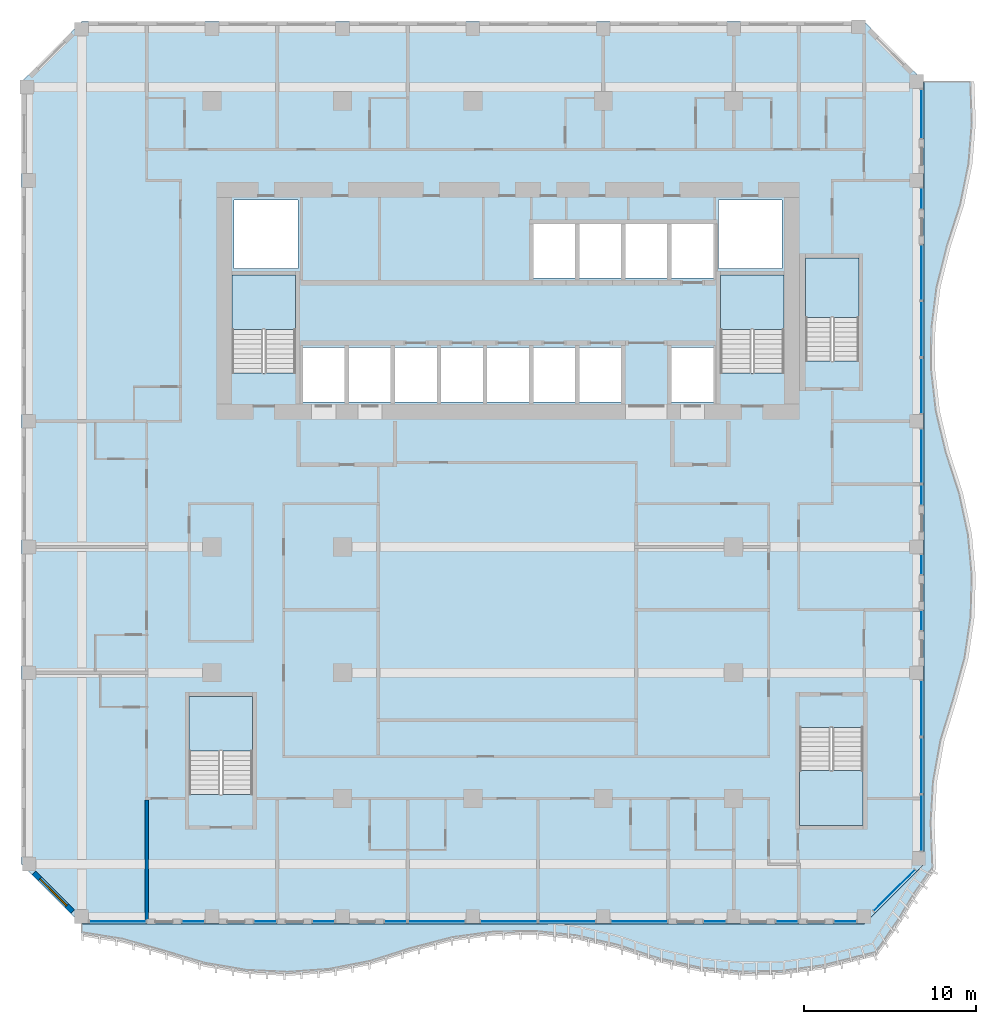
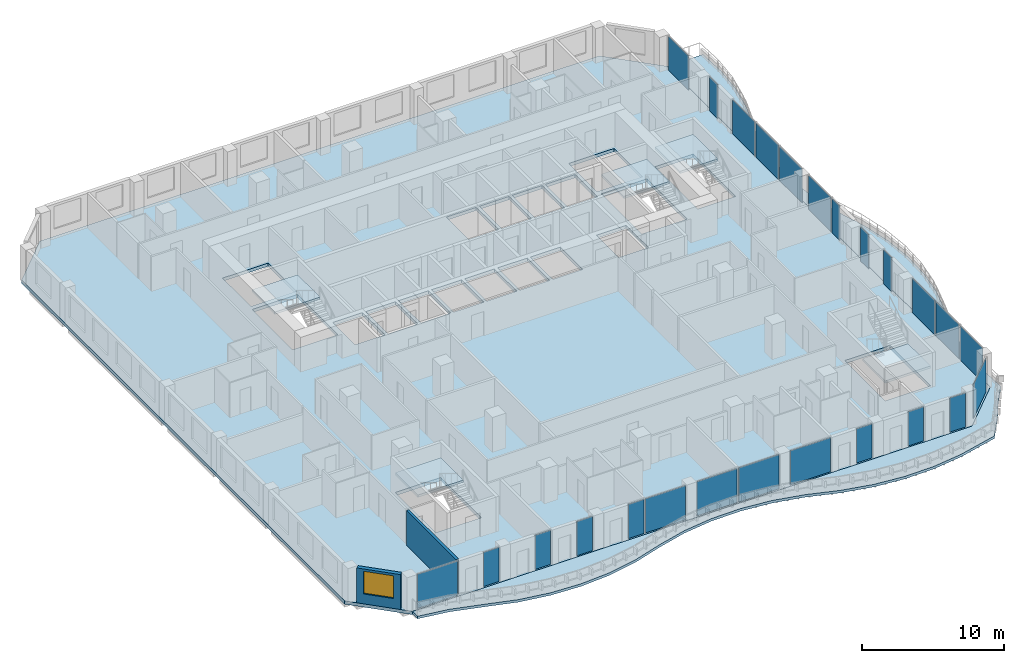
# One storey, part 9 of 23: 25 plates, 7 slabs, 2 walls, 1 window, 1 opening, 30 elements without a shape of their own.
"""IFC4 building model written with IfcOpenShell, lengths in metres."""

from ifc_helpers import new_model, si_unit, direction, frame, frame_2d, origin, origin_2d, place, context, subcontext, project, spatial, polyline, rectangle, outline, extrude, source, transform, mapped, material, layer, layer_set, type_object, element, fill, aggregate, save


model = new_model("IFC4")

# Units and contexts
model_context = context("Model", 3, precision=1e-05, world=origin(), true_north=direction((0.0, 1.0)))
body_context = subcontext(model_context, "Body", "Model", "MODEL_VIEW")
ifc_project = project(units=[si_unit("LENGTHUNIT", "METRE"), si_unit("AREAUNIT", "SQUARE_METRE"), si_unit("VOLUMEUNIT", "CUBIC_METRE"), si_unit("PLANEANGLEUNIT", "RADIAN"), si_unit("MASSUNIT", "GRAM", prefix="KILO")], contexts=[model_context])

# Site, building, storey
site_placement = place(None, origin())
site = spatial("IfcSite", under=ifc_project, at=site_placement, CompositionType="ELEMENT")
building_placement = place(site_placement, origin())
building = spatial("IfcBuilding", under=site, at=building_placement, Name="Kilnfold Tower and Market Hall", CompositionType="ELEMENT")
storey_placement = place(building_placement, frame((0.0, 0.0, 160.89990234375)))
storey = spatial("IfcBuildingStorey", under=building, at=storey_placement, Name="L37", CompositionType="ELEMENT", Elevation=160.89990234375)

# Slab
ifc_material_1 = material(Name="Concrete C45", Category="concrete")
ifc_layer_1 = layer(ifc_material_1, 0.280029296875)
ifc_layer_set_1 = layer_set([ifc_layer_1], Name="Concrete C45")
slab_type_1 = type_object("IfcSlabType", Name="FLOOR SLAB 280", PredefinedType="FLOOR", material=ifc_layer_set_1)
shared_shape_1 = source(origin(), body_context, "Body", "SweptSolid", [
    extrude(outline(polyline([(-23.75, -21.25), (21.75, -21.25), (25.25, -17.75), (25.25, 27.75), (21.75, 31.25), (-23.75, 31.25), (-27.25, 27.75), (-27.25, -17.75), (-23.75, -21.25)]), holes=[polyline([(-13.800537109375, -13.699462890625), (-17.49951171875, -13.699462890625), (-17.49951171875, -8.00048828125), (-13.800537109375, -8.00048828125), (-13.800537109375, -13.699462890625)]), polyline([(-14.99951171875, 10.800537109375), (-14.99951171875, 16.49951171875), (-11.300537109375, 16.49951171875), (-11.300537109375, 10.800537109375), (-14.99951171875, 10.800537109375)]), polyline([(-11.175048828125, 16.875), (-14.875, 16.875), (-14.875, 20.875), (-11.175048828125, 20.875), (-11.175048828125, 16.875)]), polyline([(-8.455078125, 9.125), (-10.885009765625, 9.125), (-10.885009765625, 12.27490234375), (-8.455078125, 12.27490234375), (-8.455078125, 9.125)]), polyline([(-5.77490234375, 9.125), (-8.205078125, 9.125), (-8.205078125, 12.27490234375), (-5.77490234375, 12.27490234375), (-5.77490234375, 9.125)]), polyline([(-3.094970703125, 9.125), (-5.52490234375, 9.125), (-5.52490234375, 12.27490234375), (-3.094970703125, 12.27490234375), (-3.094970703125, 9.125)]), polyline([(-0.4150390625, 9.125), (-2.844970703125, 9.125), (-2.844970703125, 12.27490234375), (-0.4150390625, 12.27490234375), (-0.4150390625, 9.125)]), polyline([(2.264892578125, 9.125), (-0.1650390625, 9.125), (-0.1650390625, 12.27490234375), (2.264892578125, 12.27490234375), (2.264892578125, 9.125)]), polyline([(4.945068359375, 9.125), (2.514892578125, 9.125), (2.514892578125, 12.27490234375), (4.945068359375, 12.27490234375), (4.945068359375, 9.125)]), polyline([(2.514892578125, 16.324951171875), (2.514892578125, 19.47509765625), (4.945068359375, 19.47509765625), (4.945068359375, 16.324951171875), (2.514892578125, 16.324951171875)]), polyline([(7.625, 9.125), (5.195068359375, 9.125), (5.195068359375, 12.27490234375), (7.625, 12.27490234375), (7.625, 9.125)]), polyline([(7.625, 16.324951171875), (5.195068359375, 16.324951171875), (5.195068359375, 19.47509765625), (7.625, 19.47509765625), (7.625, 16.324951171875)]), polyline([(10.304931640625, 16.324951171875), (7.875, 16.324951171875), (7.875, 19.47509765625), (10.304931640625, 19.47509765625), (10.304931640625, 16.324951171875)]), polyline([(10.554931640625, 9.125), (10.554931640625, 12.27490234375), (12.985107421875, 12.27490234375), (12.985107421875, 9.125), (10.554931640625, 9.125)]), polyline([(10.554931640625, 16.324951171875), (10.554931640625, 19.47509765625), (12.985107421875, 19.47509765625), (12.985107421875, 16.324951171875), (10.554931640625, 16.324951171875)]), polyline([(13.27490234375, 16.875), (13.27490234375, 20.875), (16.97509765625, 20.875), (16.97509765625, 16.875), (13.27490234375, 16.875)]), polyline([(13.400390625, 10.800537109375), (13.400390625, 16.49951171875), (17.099609375, 16.49951171875), (17.099609375, 10.800537109375), (13.400390625, 10.800537109375)]), polyline([(18.00048828125, -9.800537109375), (21.699462890625, -9.800537109375), (21.699462890625, -15.49951171875), (18.00048828125, -15.49951171875), (18.00048828125, -9.800537109375)]), polyline([(21.449462890625, 11.50048828125), (18.3505859375, 11.50048828125), (18.3505859375, 17.49951171875), (21.449462890625, 17.49951171875), (21.449462890625, 11.50048828125)])]), origin(), (0.0, 0.0, 1.0), 0.280029296875),
])
slab_1_placement = place(storey_placement, frame((0.0, 0.0, -0.280029296875)))
element("IfcSlab", 1, at=slab_1_placement, inside=storey, type_object=slab_type_1, Name="Floor slab L37", PredefinedType="FLOOR", context=body_context, shape_type="MappedRepresentation", body=[
    mapped(shared_shape_1, transform((0.0, 0.0, 0.0))),
])

# Curtain wall, plate
ifc_material_2 = material(Name="Aluminium and double glazing", Category="aluminium")
curtain_wall_type = type_object("IfcCurtainWallType", Name="CW GARDEN HOTEL WINTER GARDEN", PredefinedType="NOTDEFINED", material=ifc_material_2)
curtain_wall_1_placement = place(storey_placement, origin())
curtain_wall_1 = element("IfcCurtainWall", 2, at=curtain_wall_1_placement, inside=storey, type_object=curtain_wall_type, Name="Curtain wall CW5 L37 S", PredefinedType="NOTDEFINED")
ifc_material_3 = material(Name="Double glazed unit")
ifc_layer_2 = layer(ifc_material_3, 0.033935546875)
ifc_layer_set_2 = layer_set([ifc_layer_2], Name="Double glazed unit")
plate_type = type_object("IfcPlateType", Name="GLAZING PANEL 34", PredefinedType="CURTAIN_PANEL", material=ifc_layer_set_2)
shared_shape_2 = source(origin(), body_context, "Body", "SweptSolid", [
    extrude(rectangle(XDim=3.26171875, YDim=0.033935546875, at=origin_2d()), origin(), (0.0, 0.0, 1.0), 2.93505859375),
])
plate_1_placement = place(storey_placement, frame((-21.654296875, -21.10009765625, 0.0), z_axis=(0.0, 0.0, 1.0), x_axis=(1.0, 0.0, 0.0)))
plate_1 = element("IfcPlate", 3, at=plate_1_placement, type_object=plate_type, Name="CW5 panel 1.1", PredefinedType="CURTAIN_PANEL", context=body_context, shape_type="MappedRepresentation", body=[
    mapped(shared_shape_2, transform((0.0, 0.0, 0.0))),
])
aggregate(curtain_wall_1, [plate_1])

curtain_wall_2_placement = place(storey_placement, origin())
curtain_wall_2 = element("IfcCurtainWall", 4, at=curtain_wall_2_placement, inside=storey, type_object=curtain_wall_type, Name="Curtain wall CW5 L37 S", PredefinedType="NOTDEFINED")
plate_2_placement = place(storey_placement, frame((-3.095703125, -21.10009765625, 0.0), z_axis=(0.0, 0.0, 1.0), x_axis=(1.0, 0.0, 0.0)))
plate_2 = element("IfcPlate", 5, at=plate_2_placement, type_object=plate_type, Name="CW5 panel 1.1", PredefinedType="CURTAIN_PANEL", context=body_context, shape_type="MappedRepresentation", body=[
    mapped(shared_shape_2, transform((0.0, 0.0, 0.0))),
])
aggregate(curtain_wall_2, [plate_2])

curtain_wall_3_placement = place(storey_placement, origin())
curtain_wall_3 = element("IfcCurtainWall", 6, at=curtain_wall_3_placement, inside=storey, type_object=curtain_wall_type, Name="Curtain wall CW5 L37 S", PredefinedType="NOTDEFINED")
plate_3_placement = place(storey_placement, frame((1.095703125, -21.10009765625, 0.0), z_axis=(0.0, 0.0, 1.0), x_axis=(1.0, 0.0, 0.0)))
plate_3 = element("IfcPlate", 7, at=plate_3_placement, type_object=plate_type, Name="CW5 panel 1.1", PredefinedType="CURTAIN_PANEL", context=body_context, shape_type="MappedRepresentation", body=[
    mapped(shared_shape_2, transform((0.0, 0.0, 0.0))),
])
aggregate(curtain_wall_3, [plate_3])

curtain_wall_4_placement = place(storey_placement, origin())
curtain_wall_4 = element("IfcCurtainWall", 8, at=curtain_wall_4_placement, inside=storey, type_object=curtain_wall_type, Name="Curtain wall CW5 L37 S", PredefinedType="NOTDEFINED")
plate_4_placement = place(storey_placement, frame((4.487548828125, -21.10009765625, 0.0), z_axis=(0.0, 0.0, 1.0), x_axis=(1.0, 0.0, 0.0)))
plate_4 = element("IfcPlate", 9, at=plate_4_placement, type_object=plate_type, Name="CW5 panel 1.1", PredefinedType="CURTAIN_PANEL", context=body_context, shape_type="MappedRepresentation", body=[
    mapped(shared_shape_2, transform((0.0, 0.0, 0.0))),
])
aggregate(curtain_wall_4, [plate_4])

curtain_wall_5_placement = place(storey_placement, origin())
curtain_wall_5 = element("IfcCurtainWall", 10, at=curtain_wall_5_placement, inside=storey, type_object=curtain_wall_type, Name="Curtain wall CW5 L37 S", PredefinedType="NOTDEFINED")
plate_5_placement = place(storey_placement, frame((8.67919921875, -21.10009765625, 0.0), z_axis=(0.0, 0.0, 1.0), x_axis=(1.0, 0.0, 0.0)))
plate_5 = element("IfcPlate", 11, at=plate_5_placement, type_object=plate_type, Name="CW5 panel 1.1", PredefinedType="CURTAIN_PANEL", context=body_context, shape_type="MappedRepresentation", body=[
    mapped(shared_shape_2, transform((0.0, 0.0, 0.0))),
])
aggregate(curtain_wall_5, [plate_5])

curtain_wall_6_placement = place(storey_placement, origin())
curtain_wall_6 = element("IfcCurtainWall", 12, at=curtain_wall_6_placement, inside=storey, type_object=curtain_wall_type, Name="Curtain wall CW5 L37 S", PredefinedType="NOTDEFINED")
shared_shape_3 = source(origin(), body_context, "Body", "SweptSolid", [
    extrude(rectangle(XDim=1.26171875, YDim=0.033935546875, at=origin_2d()), origin(), (0.0, 0.0, 1.0), 2.93505859375),
])
plate_6_placement = place(storey_placement, frame((-17.262451171875, -21.10009765625, 0.0), z_axis=(0.0, 0.0, 1.0), x_axis=(1.0, 0.0, 0.0)))
plate_6 = element("IfcPlate", 13, at=plate_6_placement, type_object=plate_type, Name="CW5 panel 1.1", PredefinedType="CURTAIN_PANEL", context=body_context, shape_type="MappedRepresentation", body=[
    mapped(shared_shape_3, transform((0.0, 0.0, 0.0))),
])
aggregate(curtain_wall_6, [plate_6])

curtain_wall_7_placement = place(storey_placement, origin())
curtain_wall_7 = element("IfcCurtainWall", 14, at=curtain_wall_7_placement, inside=storey, type_object=curtain_wall_type, Name="Curtain wall CW5 L37 S", PredefinedType="NOTDEFINED")
plate_7_placement = place(storey_placement, frame((-13.07080078125, -21.10009765625, 0.0), z_axis=(0.0, 0.0, 1.0), x_axis=(1.0, 0.0, 0.0)))
plate_7 = element("IfcPlate", 15, at=plate_7_placement, type_object=plate_type, Name="CW5 panel 1.1", PredefinedType="CURTAIN_PANEL", context=body_context, shape_type="MappedRepresentation", body=[
    mapped(shared_shape_3, transform((0.0, 0.0, 0.0))),
])
aggregate(curtain_wall_7, [plate_7])

curtain_wall_8_placement = place(storey_placement, origin())
curtain_wall_8 = element("IfcCurtainWall", 16, at=curtain_wall_8_placement, inside=storey, type_object=curtain_wall_type, Name="Curtain wall CW5 L37 S", PredefinedType="NOTDEFINED")
plate_8_placement = place(storey_placement, frame((-9.67919921875, -21.10009765625, 0.0), z_axis=(0.0, 0.0, 1.0), x_axis=(1.0, 0.0, 0.0)))
plate_8 = element("IfcPlate", 17, at=plate_8_placement, type_object=plate_type, Name="CW5 panel 1.1", PredefinedType="CURTAIN_PANEL", context=body_context, shape_type="MappedRepresentation", body=[
    mapped(shared_shape_3, transform((0.0, 0.0, 0.0))),
])
aggregate(curtain_wall_8, [plate_8])

curtain_wall_9_placement = place(storey_placement, origin())
curtain_wall_9 = element("IfcCurtainWall", 18, at=curtain_wall_9_placement, inside=storey, type_object=curtain_wall_type, Name="Curtain wall CW5 L37 S", PredefinedType="NOTDEFINED")
plate_9_placement = place(storey_placement, frame((-5.487548828125, -21.10009765625, 0.0), z_axis=(0.0, 0.0, 1.0), x_axis=(1.0, 0.0, 0.0)))
plate_9 = element("IfcPlate", 19, at=plate_9_placement, type_object=plate_type, Name="CW5 panel 1.1", PredefinedType="CURTAIN_PANEL", context=body_context, shape_type="MappedRepresentation", body=[
    mapped(shared_shape_3, transform((0.0, 0.0, 0.0))),
])
aggregate(curtain_wall_9, [plate_9])

curtain_wall_10_placement = place(storey_placement, origin())
curtain_wall_10 = element("IfcCurtainWall", 20, at=curtain_wall_10_placement, inside=storey, type_object=curtain_wall_type, Name="Curtain wall CW5 L37 S", PredefinedType="NOTDEFINED")
plate_10_placement = place(storey_placement, frame((13.07080078125, -21.10009765625, 0.0), z_axis=(0.0, 0.0, 1.0), x_axis=(1.0, 0.0, 0.0)))
plate_10 = element("IfcPlate", 21, at=plate_10_placement, type_object=plate_type, Name="CW5 panel 1.1", PredefinedType="CURTAIN_PANEL", context=body_context, shape_type="MappedRepresentation", body=[
    mapped(shared_shape_3, transform((0.0, 0.0, 0.0))),
])
aggregate(curtain_wall_10, [plate_10])

curtain_wall_11_placement = place(storey_placement, origin())
curtain_wall_11 = element("IfcCurtainWall", 22, at=curtain_wall_11_placement, inside=storey, type_object=curtain_wall_type, Name="Curtain wall CW5 L37 S", PredefinedType="NOTDEFINED")
plate_11_placement = place(storey_placement, frame((17.262451171875, -21.10009765625, 0.0), z_axis=(0.0, 0.0, 1.0), x_axis=(1.0, 0.0, 0.0)))
plate_11 = element("IfcPlate", 23, at=plate_11_placement, type_object=plate_type, Name="CW5 panel 1.1", PredefinedType="CURTAIN_PANEL", context=body_context, shape_type="MappedRepresentation", body=[
    mapped(shared_shape_3, transform((0.0, 0.0, 0.0))),
])
aggregate(curtain_wall_11, [plate_11])

curtain_wall_12_placement = place(storey_placement, origin())
curtain_wall_12 = element("IfcCurtainWall", 24, at=curtain_wall_12_placement, inside=storey, type_object=curtain_wall_type, Name="Curtain wall CW5 L37 S", PredefinedType="NOTDEFINED")
plate_12_placement = place(storey_placement, frame((20.654052734375, -21.10009765625, 0.0), z_axis=(0.0, 0.0, 1.0), x_axis=(1.0, 0.0, 0.0)))
plate_12 = element("IfcPlate", 25, at=plate_12_placement, type_object=plate_type, Name="CW5 panel 1.1", PredefinedType="CURTAIN_PANEL", context=body_context, shape_type="MappedRepresentation", body=[
    mapped(shared_shape_3, transform((0.0, 0.0, 0.0))),
])
aggregate(curtain_wall_12, [plate_12])

curtain_wall_13_placement = place(storey_placement, origin())
curtain_wall_13 = element("IfcCurtainWall", 26, at=curtain_wall_13_placement, inside=storey, type_object=curtain_wall_type, Name="Curtain wall CW5 L37 SE", PredefinedType="NOTDEFINED")
shared_shape_4 = source(origin(), body_context, "Body", "SweptSolid", [
    extrude(rectangle(XDim=3.370361328125, YDim=0.033935546875, at=origin_2d()), origin(), (0.0, 0.0, 1.0), 2.93505859375),
])
plate_13_placement = place(storey_placement, frame((23.50634765625, -19.281494140625, 0.0), z_axis=(0.0, 0.0, 1.0), x_axis=(0.707121065738, 0.707092496347, 0.0)))
plate_13 = element("IfcPlate", 27, at=plate_13_placement, type_object=plate_type, Name="CW5 panel 1.1", PredefinedType="CURTAIN_PANEL", context=body_context, shape_type="MappedRepresentation", body=[
    mapped(shared_shape_4, transform((0.0, 0.0, 0.0))),
])
aggregate(curtain_wall_13, [plate_13])

curtain_wall_14_placement = place(storey_placement, origin())
curtain_wall_14 = element("IfcCurtainWall", 28, at=curtain_wall_14_placement, inside=storey, type_object=curtain_wall_type, Name="Curtain wall CW5 L37 E", PredefinedType="NOTDEFINED")
shared_shape_5 = source(origin(), body_context, "Body", "SweptSolid", [
    extrude(rectangle(XDim=3.20556640625, YDim=0.033935546875, at=origin_2d()), origin(), (0.0, 0.0, 1.0), 2.93505859375),
])
plate_14_placement = place(storey_placement, frame((25.10009765625, -15.364013671875, 0.0), z_axis=(0.0, 0.0, 1.0), x_axis=(0.0, 1.0, 0.0)))
plate_14 = element("IfcPlate", 29, at=plate_14_placement, type_object=plate_type, Name="CW5 panel 1.1", PredefinedType="CURTAIN_PANEL", context=body_context, shape_type="MappedRepresentation", body=[
    mapped(shared_shape_5, transform((0.0, 0.0, 0.0))),
])
aggregate(curtain_wall_14, [plate_14])

curtain_wall_15_placement = place(storey_placement, origin())
curtain_wall_15 = element("IfcCurtainWall", 30, at=curtain_wall_15_placement, inside=storey, type_object=curtain_wall_type, Name="Curtain wall CW5 L37 E", PredefinedType="NOTDEFINED")
plate_15_placement = place(storey_placement, frame((25.10009765625, -12.0283203125, 0.0), z_axis=(0.0, 0.0, 1.0), x_axis=(0.0, 1.0, 0.0)))
plate_15 = element("IfcPlate", 31, at=plate_15_placement, type_object=plate_type, Name="CW5 panel 1.1", PredefinedType="CURTAIN_PANEL", context=body_context, shape_type="MappedRepresentation", body=[
    mapped(shared_shape_5, transform((0.0, 0.0, 0.0))),
])
aggregate(curtain_wall_15, [plate_15])

curtain_wall_16_placement = place(storey_placement, origin())
curtain_wall_16 = element("IfcCurtainWall", 32, at=curtain_wall_16_placement, inside=storey, type_object=curtain_wall_type, Name="Curtain wall CW5 L37 E", PredefinedType="NOTDEFINED")
plate_16_placement = place(storey_placement, frame((25.10009765625, -8.69287109375, 0.0), z_axis=(0.0, 0.0, 1.0), x_axis=(0.0, 1.0, 0.0)))
plate_16 = element("IfcPlate", 33, at=plate_16_placement, type_object=plate_type, Name="CW5 panel 1.1", PredefinedType="CURTAIN_PANEL", context=body_context, shape_type="MappedRepresentation", body=[
    mapped(shared_shape_5, transform((0.0, 0.0, 0.0))),
])
aggregate(curtain_wall_16, [plate_16])

curtain_wall_17_placement = place(storey_placement, origin())
curtain_wall_17 = element("IfcCurtainWall", 34, at=curtain_wall_17_placement, inside=storey, type_object=curtain_wall_type, Name="Curtain wall CW5 L37 E", PredefinedType="NOTDEFINED")
shared_shape_6 = source(origin(), body_context, "Body", "SweptSolid", [
    extrude(rectangle(XDim=1.126220703125, YDim=0.033935546875, at=origin_2d()), origin(), (0.0, 0.0, 1.0), 2.93505859375),
])
plate_17_placement = place(storey_placement, frame((25.10009765625, -3.596923828125, 0.0), z_axis=(0.0, 0.0, 1.0), x_axis=(0.0, 1.0, 0.0)))
plate_17 = element("IfcPlate", 35, at=plate_17_placement, type_object=plate_type, Name="CW5 panel 1.1", PredefinedType="CURTAIN_PANEL", context=body_context, shape_type="MappedRepresentation", body=[
    mapped(shared_shape_6, transform((0.0, 0.0, 0.0))),
])
aggregate(curtain_wall_17, [plate_17])

curtain_wall_18_placement = place(storey_placement, origin())
curtain_wall_18 = element("IfcCurtainWall", 36, at=curtain_wall_18_placement, inside=storey, type_object=curtain_wall_type, Name="Curtain wall CW5 L37 E", PredefinedType="NOTDEFINED")
plate_18_placement = place(storey_placement, frame((25.10009765625, -0.340576171875, 0.0), z_axis=(0.0, 0.0, 1.0), x_axis=(0.0, 1.0, 0.0)))
plate_18 = element("IfcPlate", 37, at=plate_18_placement, type_object=plate_type, Name="CW5 panel 1.1", PredefinedType="CURTAIN_PANEL", context=body_context, shape_type="MappedRepresentation", body=[
    mapped(shared_shape_6, transform((0.0, 0.0, 0.0))),
])
aggregate(curtain_wall_18, [plate_18])

curtain_wall_19_placement = place(storey_placement, origin())
curtain_wall_19 = element("IfcCurtainWall", 38, at=curtain_wall_19_placement, inside=storey, type_object=curtain_wall_type, Name="Curtain wall CW5 L37 E", PredefinedType="NOTDEFINED")
plate_19_placement = place(storey_placement, frame((25.10009765625, 3.715576171875, 0.0), z_axis=(0.0, 0.0, 1.0), x_axis=(0.0, 1.0, 0.0)))
plate_19 = element("IfcPlate", 39, at=plate_19_placement, type_object=plate_type, Name="CW5 panel 1.1", PredefinedType="CURTAIN_PANEL", context=body_context, shape_type="MappedRepresentation", body=[
    mapped(shared_shape_6, transform((0.0, 0.0, 0.0))),
])
aggregate(curtain_wall_19, [plate_19])

curtain_wall_20_placement = place(storey_placement, origin())
curtain_wall_20 = element("IfcCurtainWall", 40, at=curtain_wall_20_placement, inside=storey, type_object=curtain_wall_type, Name="Curtain wall CW5 L37 E", PredefinedType="NOTDEFINED")
shared_shape_7 = source(origin(), body_context, "Body", "SweptSolid", [
    extrude(rectangle(XDim=3.126220703125, YDim=0.033935546875, at=origin_2d()), origin(), (0.0, 0.0, 1.0), 2.93505859375),
])
plate_20_placement = place(storey_placement, frame((25.10009765625, 5.971923828125, 0.0), z_axis=(0.0, 0.0, 1.0), x_axis=(0.0, 1.0, 0.0)))
plate_20 = element("IfcPlate", 41, at=plate_20_placement, type_object=plate_type, Name="CW5 panel 1.1", PredefinedType="CURTAIN_PANEL", context=body_context, shape_type="MappedRepresentation", body=[
    mapped(shared_shape_7, transform((0.0, 0.0, 0.0))),
])
aggregate(curtain_wall_20, [plate_20])

curtain_wall_21_placement = place(storey_placement, origin())
curtain_wall_21 = element("IfcCurtainWall", 42, at=curtain_wall_21_placement, inside=storey, type_object=curtain_wall_type, Name="Curtain wall CW5 L37 E", PredefinedType="NOTDEFINED")
shared_shape_8 = source(origin(), body_context, "Body", "SweptSolid", [
    extrude(rectangle(XDim=3.169921875, YDim=0.033935546875, at=origin_2d()), origin(), (0.0, 0.0, 1.0), 2.93505859375),
])
plate_21_placement = place(storey_placement, frame((25.10009765625, 10.050048828125, 0.0), z_axis=(0.0, 0.0, 1.0), x_axis=(0.0, 1.0, 0.0)))
plate_21 = element("IfcPlate", 43, at=plate_21_placement, type_object=plate_type, Name="CW5 panel 1.1", PredefinedType="CURTAIN_PANEL", context=body_context, shape_type="MappedRepresentation", body=[
    mapped(shared_shape_8, transform((0.0, 0.0, 0.0))),
])
aggregate(curtain_wall_21, [plate_21])

curtain_wall_22_placement = place(storey_placement, origin())
curtain_wall_22 = element("IfcCurtainWall", 44, at=curtain_wall_22_placement, inside=storey, type_object=curtain_wall_type, Name="Curtain wall CW5 L37 E", PredefinedType="NOTDEFINED")
plate_22_placement = place(storey_placement, frame((25.10009765625, 13.35009765625, 0.0), z_axis=(0.0, 0.0, 1.0), x_axis=(0.0, 1.0, 0.0)))
plate_22 = element("IfcPlate", 45, at=plate_22_placement, type_object=plate_type, Name="CW5 panel 1.1", PredefinedType="CURTAIN_PANEL", context=body_context, shape_type="MappedRepresentation", body=[
    mapped(shared_shape_8, transform((0.0, 0.0, 0.0))),
])
aggregate(curtain_wall_22, [plate_22])

curtain_wall_23_placement = place(storey_placement, origin())
curtain_wall_23 = element("IfcCurtainWall", 46, at=curtain_wall_23_placement, inside=storey, type_object=curtain_wall_type, Name="Curtain wall CW5 L37 E", PredefinedType="NOTDEFINED")
plate_23_placement = place(storey_placement, frame((25.10009765625, 16.64990234375, 0.0), z_axis=(0.0, 0.0, 1.0), x_axis=(0.0, 1.0, 0.0)))
plate_23 = element("IfcPlate", 47, at=plate_23_placement, type_object=plate_type, Name="CW5 panel 1.1", PredefinedType="CURTAIN_PANEL", context=body_context, shape_type="MappedRepresentation", body=[
    mapped(shared_shape_8, transform((0.0, 0.0, 0.0))),
])
aggregate(curtain_wall_23, [plate_23])

curtain_wall_24_placement = place(storey_placement, origin())
curtain_wall_24 = element("IfcCurtainWall", 48, at=curtain_wall_24_placement, inside=storey, type_object=curtain_wall_type, Name="Curtain wall CW5 L37 E", PredefinedType="NOTDEFINED")
shared_shape_9 = source(origin(), body_context, "Body", "SweptSolid", [
    extrude(rectangle(XDim=1.169921875, YDim=0.033935546875, at=origin_2d()), origin(), (0.0, 0.0, 1.0), 2.93505859375),
])
plate_24_placement = place(storey_placement, frame((25.10009765625, 20.949951171875, 0.0), z_axis=(0.0, 0.0, 1.0), x_axis=(0.0, 1.0, 0.0)))
plate_24 = element("IfcPlate", 49, at=plate_24_placement, type_object=plate_type, Name="CW5 panel 1.1", PredefinedType="CURTAIN_PANEL", context=body_context, shape_type="MappedRepresentation", body=[
    mapped(shared_shape_9, transform((0.0, 0.0, 0.0))),
])
aggregate(curtain_wall_24, [plate_24])

curtain_wall_25_placement = place(storey_placement, origin())
curtain_wall_25 = element("IfcCurtainWall", 50, at=curtain_wall_25_placement, inside=storey, type_object=curtain_wall_type, Name="Curtain wall CW5 L37 E", PredefinedType="NOTDEFINED")
shared_shape_10 = source(origin(), body_context, "Body", "SweptSolid", [
    extrude(rectangle(XDim=2.820068359375, YDim=0.033935546875, at=origin_2d()), origin(), (0.0, 0.0, 1.0), 2.93505859375),
])
plate_25_placement = place(storey_placement, frame((25.10009765625, 25.875, 0.0), z_axis=(0.0, 0.0, 1.0), x_axis=(0.0, 1.0, 0.0)))
plate_25 = element("IfcPlate", 51, at=plate_25_placement, type_object=plate_type, Name="CW5 panel 1.1", PredefinedType="CURTAIN_PANEL", context=body_context, shape_type="MappedRepresentation", body=[
    mapped(shared_shape_10, transform((0.0, 0.0, 0.0))),
])
aggregate(curtain_wall_25, [plate_25])

# Slab
ifc_material_4 = material(Name="Concrete C40/50", Category="concrete")
ifc_layer_3 = layer(ifc_material_4, 0.219970703125)
ifc_layer_set_3 = layer_set([ifc_layer_3], Name="Concrete C40/50")
slab_type_2 = type_object("IfcSlabType", Name="BALCONY SLAB 220", PredefinedType="FLOOR", material=ifc_layer_set_3)
shared_shape_11 = source(origin(), body_context, "Body", "SweptSolid", [
    extrude(outline(polyline([(-23.75, -21.25), (21.75, -21.25), (25.25, -17.75), (25.25, 27.75), (28.15478515625, 27.75), (28.245361328125, 25.355224609375), (28.05029296875, 22.96044921875), (27.561279296875, 20.56591796875), (26.7900390625, 18.171142578125), (26.190673828125, 15.7763671875), (25.8916015625, 13.381591796875), (25.8798828125, 10.98681640625), (26.15478515625, 8.592041015625), (26.728271484375, 6.197509765625), (27.5068359375, 3.802490234375), (28.02099609375, 1.407958984375), (28.239990234375, -0.98681640625), (28.173095703125, -3.381591796875), (27.817626953125, -5.7763671875), (27.157470703125, -8.171142578125), (26.420654296875, -10.56591796875), (25.989501953125, -12.96044921875), (25.85009765625, -15.355224609375), (25.93896484375, -18.035400390625), (24.801025390625, -19.634521484375), (23.926513671875, -21.093017578125), (22.507080078125, -23.078125), (19.355224609375, -23.861083984375), (16.96044921875, -24.190673828125), (14.56591796875, -24.232177734375), (12.171142578125, -23.98779296875), (9.7763671875, -23.4462890625), (7.381591796875, -22.664794921875), (4.98681640625, -22.11865234375), (2.592041015625, -21.869384765625), (0.197509765625, -21.906494140625), (-2.197509765625, -22.231201171875), (-4.592041015625, -22.8583984375), (-6.98681640625, -23.61669921875), (-9.381591796875, -24.0791015625), (-11.7763671875, -24.248779296875), (-14.171142578125, -24.1328125), (-16.56591796875, -23.726806640625), (-18.96044921875, -23.01220703125), (-21.355224609375, -22.3251953125), (-23.75, -21.9453125), (-23.75, -21.25)])), origin(), (0.0, 0.0, 1.0), 0.219970703125),
])
slab_2_placement = place(storey_placement, frame((0.0, 0.0, -0.219970703125)))
element("IfcSlab", 52, at=slab_2_placement, inside=storey, type_object=slab_type_2, Name="Balcony slab L37", PredefinedType="FLOOR", context=body_context, shape_type="MappedRepresentation", body=[
    mapped(shared_shape_11, transform((0.0, 0.0, 0.0))),
])

# Stair, slab
ifc_material_5 = material(Name="Concrete C40/50", Category="concrete")
stair_type_1 = type_object("IfcStairType", Name="CORE STAIR 1800", PredefinedType="HALF_TURN_STAIR", material=ifc_material_5)
stair_1_placement = place(storey_placement, origin())
stair_1 = element("IfcStair", 53, at=stair_1_placement, inside=storey, type_object=stair_type_1, Name="L37 ST1", PredefinedType="HALF_TURN_STAIR")
ifc_material_6 = material(Name="Concrete C40/50", Category="concrete")
ifc_layer_4 = layer(ifc_material_6, 0.199951171875)
ifc_layer_set_4 = layer_set([ifc_layer_4], Name="Concrete C40/50")
slab_type_3 = type_object("IfcSlabType", Name="CORE STAIR LANDING 200", PredefinedType="LANDING", material=ifc_layer_set_4)
shared_shape_12 = source(origin(), body_context, "Body", "SweptSolid", [
    extrude(outline(polyline([(-11.300048828125, 13.320068359375), (-11.300048828125, 16.5), (-15.0, 16.5), (-15.0, 13.320068359375), (-11.300048828125, 13.320068359375)])), origin(), (0.0, 0.0, 1.0), 0.2001953125),
])
slab_3_placement = place(storey_placement, frame((0.0, 0.0, 1.5)))
slab_3 = element("IfcSlab", 54, at=slab_3_placement, type_object=slab_type_3, Name="ST1 landing 1", PredefinedType="LANDING", context=body_context, shape_type="MappedRepresentation", body=[
    mapped(shared_shape_12, transform((0.0, 0.0, 0.0))),
])
aggregate(stair_1, [slab_3])

stair_2_placement = place(storey_placement, origin())
stair_2 = element("IfcStair", 55, at=stair_2_placement, inside=storey, type_object=stair_type_1, Name="L37 ST2", PredefinedType="HALF_TURN_STAIR")
shared_shape_13 = source(origin(), body_context, "Body", "SweptSolid", [
    extrude(outline(polyline([(17.10009765625, 13.320068359375), (17.10009765625, 16.5), (13.39990234375, 16.5), (13.39990234375, 13.320068359375), (17.10009765625, 13.320068359375)])), origin(), (0.0, 0.0, 1.0), 0.2001953125),
])
slab_4_placement = place(storey_placement, frame((0.0, 0.0, 1.5)))
slab_4 = element("IfcSlab", 56, at=slab_4_placement, type_object=slab_type_3, Name="ST2 landing 1", PredefinedType="LANDING", context=body_context, shape_type="MappedRepresentation", body=[
    mapped(shared_shape_13, transform((0.0, 0.0, 0.0))),
])
aggregate(stair_2, [slab_4])

stair_3_placement = place(storey_placement, origin())
stair_3 = element("IfcStair", 57, at=stair_3_placement, inside=storey, type_object=stair_type_1, Name="L37 ST3", PredefinedType="HALF_TURN_STAIR")
shared_shape_14 = source(origin(), body_context, "Body", "SweptSolid", [
    extrude(outline(polyline([(-13.800048828125, -11.179931640625), (-13.800048828125, -8.0), (-17.5, -8.0), (-17.5, -11.179931640625), (-13.800048828125, -11.179931640625)])), origin(), (0.0, 0.0, 1.0), 0.2001953125),
])
slab_5_placement = place(storey_placement, frame((0.0, 0.0, 1.5)))
slab_5 = element("IfcSlab", 58, at=slab_5_placement, type_object=slab_type_3, Name="ST3 landing 1", PredefinedType="LANDING", context=body_context, shape_type="MappedRepresentation", body=[
    mapped(shared_shape_14, transform((0.0, 0.0, 0.0))),
])
aggregate(stair_3, [slab_5])

stair_4_placement = place(storey_placement, origin())
stair_4 = element("IfcStair", 59, at=stair_4_placement, inside=storey, type_object=stair_type_1, Name="L37 ST4", PredefinedType="HALF_TURN_STAIR")
shared_shape_15 = source(origin(), body_context, "Body", "SweptSolid", [
    extrude(outline(polyline([(18.0, -12.320068359375), (18.0, -15.5), (21.699951171875, -15.5), (21.699951171875, -12.320068359375), (18.0, -12.320068359375)])), origin(), (0.0, 0.0, 1.0), 0.2001953125),
])
slab_6_placement = place(storey_placement, frame((0.0, 0.0, 1.5)))
slab_6 = element("IfcSlab", 60, at=slab_6_placement, type_object=slab_type_3, Name="ST4 landing 1", PredefinedType="LANDING", context=body_context, shape_type="MappedRepresentation", body=[
    mapped(shared_shape_15, transform((0.0, 0.0, 0.0))),
])
aggregate(stair_4, [slab_6])

ifc_material_7 = material(Name="Concrete C40/50", Category="concrete")
stair_type_2 = type_object("IfcStairType", Name="CORE STAIR 1500", PredefinedType="HALF_TURN_STAIR", material=ifc_material_7)
stair_5_placement = place(storey_placement, origin())
stair_5 = element("IfcStair", 61, at=stair_5_placement, inside=storey, type_object=stair_type_2, Name="L37 ST5", PredefinedType="HALF_TURN_STAIR")
shared_shape_16 = source(origin(), body_context, "Body", "SweptSolid", [
    extrude(outline(polyline([(21.449951171875, 14.02001953125), (21.449951171875, 17.5), (18.35009765625, 17.5), (18.35009765625, 14.02001953125), (21.449951171875, 14.02001953125)])), origin(), (0.0, 0.0, 1.0), 0.2001953125),
])
slab_7_placement = place(storey_placement, frame((0.0, 0.0, 1.5)))
slab_7 = element("IfcSlab", 62, at=slab_7_placement, type_object=slab_type_3, Name="ST5 landing 1", PredefinedType="LANDING", context=body_context, shape_type="MappedRepresentation", body=[
    mapped(shared_shape_16, transform((0.0, 0.0, 0.0))),
])
aggregate(stair_5, [slab_7])

# Wall
ifc_material_8 = material(Name="Gypsum board on steel studs", Category="steel")
ifc_layer_5 = layer(ifc_material_8, 0.199951171875)
ifc_layer_set_5 = layer_set([ifc_layer_5], Name="Gypsum board on steel studs")
wall_type_1 = type_object("IfcWallType", Name="WALL PARTY 200", PredefinedType="PARTITIONING", material=ifc_layer_set_5)
wall_1_placement = place(storey_placement, frame((-19.958984375, -21.0, 0.0), z_axis=(0.0, 0.0, 1.0), x_axis=(0.0, 1.0, 0.0)))
element("IfcWall", 63, at=wall_1_placement, inside=storey, type_object=wall_type_1, Name="Partition LY24.48", PredefinedType="PARTITIONING", context=body_context, shape_type="SweptSolid", body=[
    extrude(rectangle(XDim=6.985107421875, YDim=0.199951171875, at=frame_2d((3.49267578125, 0.0))), origin(), (0.0, 0.0, 1.0), 3.0),
])

# Wall, opening, window
ifc_material_9 = material(Name="Precast concrete C50/60", Category="concrete")
ifc_layer_6 = layer(ifc_material_9, 0.300048828125)
ifc_layer_set_6 = layer_set([ifc_layer_6], Name="Precast concrete C50/60")
wall_type_2 = type_object("IfcWallType", Name="PRECAST WALL 300", PredefinedType="SOLIDWALL", material=ifc_layer_set_6)
shared_shape_17 = source(origin(), body_context, "Body", "SweptSolid", [
    extrude(rectangle(XDim=3.18212890625, YDim=0.300048828125, at=frame_2d((1.591064453125, 0.0))), origin(), (0.0, 0.0, 1.0), 3.0),
])
wall_2_placement = place(storey_placement, frame((-26.518798828125, -18.268798828125, 0.0), z_axis=(0.0, 0.0, 1.0), x_axis=(0.707068419229, -0.707145141063, 0.0)))
wall_2 = element("IfcWall", 64, at=wall_2_placement, inside=storey, type_object=wall_type_2, Name="External wall L37 SW", PredefinedType="SOLIDWALL", context=body_context, shape_type="MappedRepresentation", body=[
    mapped(shared_shape_17, transform((0.0, 0.0, 0.0))),
])
opening_placement = place(wall_2_placement, frame((0.490966796875, 0.0, 0.85009765625)))
opening = element("IfcOpeningElement", 65, at=opening_placement, cuts=wall_2, Name="Opening W2", PredefinedType="OPENING", context=body_context, shape_type="SweptSolid", body=[
    extrude(rectangle(XDim=2.199951171875, YDim=1.949951171875, at=frame_2d((1.10009765625, 0.97509765625))), frame((0.0, 0.16015625, 0.0), z_axis=(0.0, -1.0, 0.0), x_axis=(1.0, 0.0, 0.0)), (0.0, 0.0, 1.0), 0.320068359375),
])
ifc_material_10 = material(Name="Aluminium frame and double glazing", Category="aluminium")
window_type = type_object("IfcWindowType", Name="WINDOW W2 2200X1950", PartitioningType="SINGLE_PANEL", PredefinedType="WINDOW", material=ifc_material_10)
window_placement = place(opening_placement, origin())
window = element("IfcWindow", 66, at=window_placement, inside=storey, type_object=window_type, Name="Window W2 L37 SW-1", OverallHeight=1.949951171875, OverallWidth=2.199951171875, PartitioningType="SINGLE_PANEL", PredefinedType="WINDOW", context=body_context, shape_type="SweptSolid", body=[
    extrude(rectangle(XDim=2.199951171875, YDim=1.949951171875, at=frame_2d((1.10009765625, 0.97509765625))), frame((0.0, 0.030029296875, 0.0), z_axis=(0.0, -1.0, 0.0), x_axis=(1.0, 0.0, 0.0)), (0.0, 0.0, 1.0), 0.06005859375),
])
fill(opening, window)

save(model, "model.ifc")
